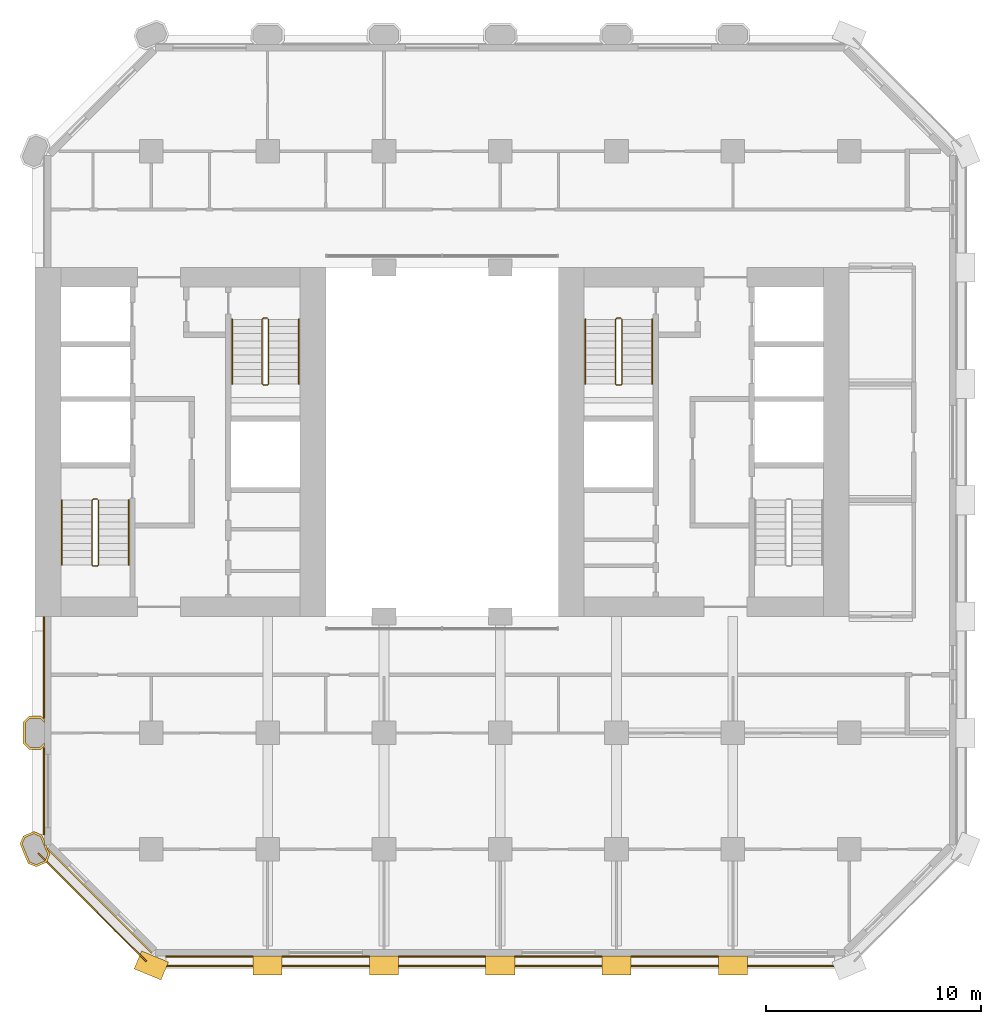
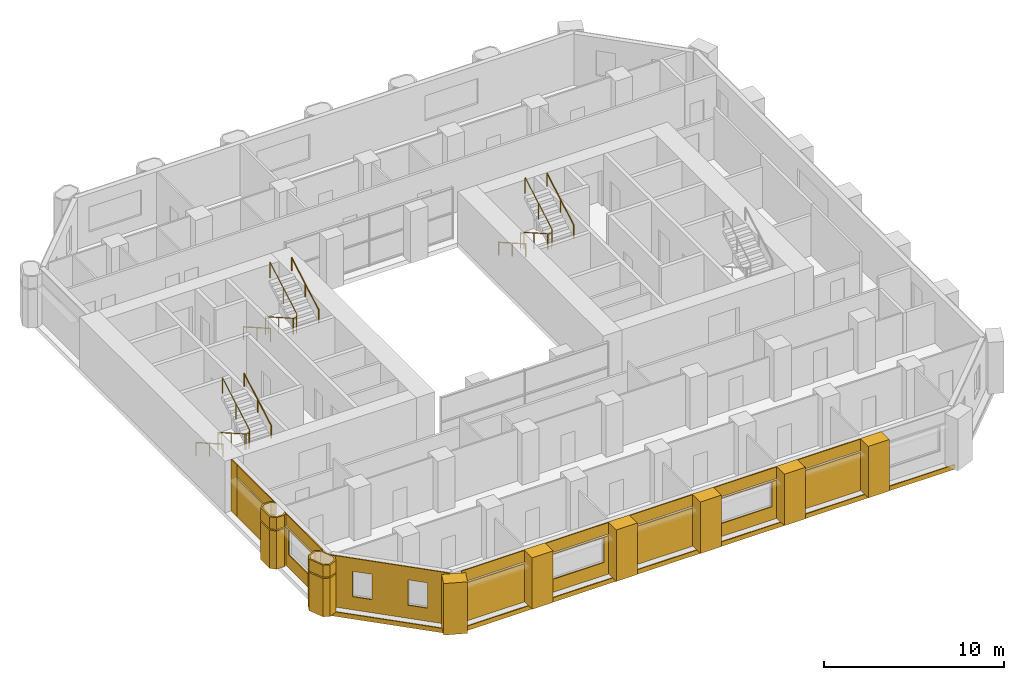
# One storey, part 13 of 14: 28 coverings, 9 railings.
"""IFC4 building model written with IfcOpenShell, lengths in metres."""

from ifc_helpers import new_model, si_unit, direction, frame, frame_2d, origin, origin_2d, place, context, subcontext, project, spatial, polyline, rectangle, circle, outline, extrude, material, layer, layer_set, type_object, element, save


model = new_model("IFC4")

# Units and contexts
model_context = context("Model", 3, precision=1e-05, world=origin(), true_north=direction((0.0, 1.0)))
body_context = subcontext(model_context, "Body", "Model", "MODEL_VIEW")
ifc_project = project(units=[si_unit("LENGTHUNIT", "METRE"), si_unit("AREAUNIT", "SQUARE_METRE"), si_unit("VOLUMEUNIT", "CUBIC_METRE"), si_unit("PLANEANGLEUNIT", "RADIAN"), si_unit("MASSUNIT", "GRAM", prefix="KILO")], contexts=[model_context])

# Site, building, storey
site_placement = place(None, origin())
site = spatial("IfcSite", under=ifc_project, at=site_placement, CompositionType="ELEMENT")
building_placement = place(site_placement, origin())
building = spatial("IfcBuilding", under=site, at=building_placement, Name="Tabaq Tower and Sports Hall", CompositionType="ELEMENT")
storey_placement = place(building_placement, frame((0.0, 0.0, 52.60009765625)))
storey = spatial("IfcBuildingStorey", under=building, at=storey_placement, Name="L11", CompositionType="ELEMENT", Elevation=52.60009765625)

# Coverings
ifc_material_1 = material(Name="Precast concrete C60/75", Category="concrete")
ifc_layer_1 = layer(ifc_material_1, 0.10009765625)
ifc_layer_set_1 = layer_set([ifc_layer_1], Name="Column cladding 100")
covering_type_1 = type_object("IfcCoveringType", Name="Column cladding 100", PredefinedType="CLADDING", material=ifc_layer_set_1)
covering_1_placement = place(storey_placement, origin())
element("IfcCovering", 1, at=covering_1_placement, inside=storey, type_object=covering_type_1, Name="Column cladding L11 PC-2B-O1", PredefinedType="CLADDING", context=body_context, shape_type="SweptSolid", body=[
    extrude(outline(polyline([(5.450439453125, 4.582275390625), (5.080078125, 4.73583984375), (4.7041015625, 5.6435546875), (4.857421875, 6.013916015625), (5.349609375, 6.217529296875), (5.7197265625, 6.064208984375), (5.849609375, 5.750732421875), (5.849609375, 5.586181640625), (5.91796875, 5.586181640625), (5.9814453125, 5.432373046875), (5.9501953125, 5.401123046875), (6.026123046875, 5.3251953125), (6.095947265625, 5.156494140625), (5.9423828125, 4.7861328125), (5.450439453125, 4.582275390625)]), holes=[polyline([(5.349609375, 6.110107421875), (4.93359375, 5.937744140625), (4.811767578125, 5.6435546875), (5.15625, 4.811767578125), (5.450439453125, 4.68994140625), (5.866455078125, 4.8623046875), (5.98828125, 5.156494140625), (5.643798828125, 5.98828125), (5.349609375, 6.110107421875)])]), origin(), (0.0, 0.0, 1.0), 2.599853515625),
])
covering_2_placement = place(storey_placement, frame((0.0, 0.0, 2.699951171875)))
element("IfcCovering", 2, at=covering_2_placement, inside=storey, type_object=covering_type_1, Name="Column cladding L11 PC-2B-O1 2", PredefinedType="CLADDING", context=body_context, shape_type="SweptSolid", body=[
    extrude(outline(polyline([(5.450439453125, 4.582275390625), (5.080078125, 4.73583984375), (4.7041015625, 5.6435546875), (4.857421875, 6.013916015625), (5.349609375, 6.217529296875), (5.7197265625, 6.064208984375), (5.849609375, 5.750732421875), (5.849609375, 5.586181640625), (5.91796875, 5.586181640625), (5.9814453125, 5.432373046875), (5.9501953125, 5.401123046875), (6.026123046875, 5.3251953125), (6.095947265625, 5.156494140625), (5.9423828125, 4.7861328125), (5.450439453125, 4.582275390625)]), holes=[polyline([(5.349609375, 6.110107421875), (4.93359375, 5.937744140625), (4.811767578125, 5.6435546875), (5.15625, 4.811767578125), (5.450439453125, 4.68994140625), (5.866455078125, 4.8623046875), (5.98828125, 5.156494140625), (5.643798828125, 5.98828125), (5.349609375, 6.110107421875)])]), origin(), (0.0, 0.0, 1.0), 0.800048828125),
])
covering_3_placement = place(storey_placement, origin())
element("IfcCovering", 3, at=covering_3_placement, inside=storey, type_object=covering_type_1, Name="Column cladding L11 PC-2C-O1", PredefinedType="CLADDING", context=body_context, shape_type="SweptSolid", body=[
    extrude(outline(polyline([(5.1337890625, 10.025390625), (4.850341796875, 10.30859375), (4.850341796875, 11.291259765625), (5.1337890625, 11.57470703125), (5.666259765625, 11.57470703125), (5.849609375, 11.391357421875), (5.849609375, 11.250732421875), (5.625244140625, 11.475341796875), (5.1748046875, 11.475341796875), (4.94970703125, 11.250244140625), (4.94970703125, 10.349853515625), (5.1748046875, 10.124755859375), (5.625244140625, 10.124755859375), (5.849609375, 10.349365234375), (5.849609375, 10.208740234375), (5.666259765625, 10.025390625), (5.1337890625, 10.025390625)])), origin(), (0.0, 0.0, 1.0), 2.599853515625),
])
covering_4_placement = place(storey_placement, frame((0.0, 0.0, 2.699951171875)))
element("IfcCovering", 4, at=covering_4_placement, inside=storey, type_object=covering_type_1, Name="Column cladding L11 PC-2C-O1 2", PredefinedType="CLADDING", context=body_context, shape_type="SweptSolid", body=[
    extrude(outline(polyline([(5.1337890625, 10.025390625), (4.850341796875, 10.30859375), (4.850341796875, 11.291259765625), (5.1337890625, 11.57470703125), (5.666259765625, 11.57470703125), (5.849609375, 11.391357421875), (5.849609375, 11.250732421875), (5.625244140625, 11.475341796875), (5.1748046875, 11.475341796875), (4.94970703125, 11.250244140625), (4.94970703125, 10.349853515625), (5.1748046875, 10.124755859375), (5.625244140625, 10.124755859375), (5.849609375, 10.349365234375), (5.849609375, 10.208740234375), (5.666259765625, 10.025390625), (5.1337890625, 10.025390625)])), origin(), (0.0, 0.0, 1.0), 0.800048828125),
])
ifc_material_2 = material(Name="Precast concrete C60/75", Category="concrete")
ifc_layer_2 = layer(ifc_material_2, 0.06005859375)
ifc_layer_set_2 = layer_set([ifc_layer_2], Name="Edge beam cladding 60")
covering_type_2 = type_object("IfcCoveringType", Name="Edge beam cladding 60", PredefinedType="CLADDING", material=ifc_layer_set_2)
covering_5_placement = place(storey_placement, frame((11.0986328125, -0.030029296875, -0.300048828125), z_axis=(0.0, 0.0, 1.0), x_axis=(1.0, 0.0, 0.0)))
element("IfcCovering", 5, at=covering_5_placement, inside=storey, type_object=covering_type_2, Name="Edge beam cladding L11 1", PredefinedType="CLADDING", context=body_context, shape_type="SweptSolid", body=[
    extrude(rectangle(XDim=31.802734375, YDim=0.06005859375, at=frame_2d((15.9013671875, 0.0))), origin(), (0.0, 0.0, 1.0), 0.300048828125),
])
covering_6_placement = place(storey_placement, frame((5.5556640625, 5.201904296875, -0.300048828125), z_axis=(0.0, 0.0, 1.0), x_axis=(0.707106781187, -0.707106781187, 0.0)))
element("IfcCovering", 6, at=covering_6_placement, inside=storey, type_object=covering_type_2, Name="Edge beam cladding L11 5", PredefinedType="CLADDING", context=body_context, shape_type="SweptSolid", body=[
    extrude(rectangle(XDim=7.087890625, YDim=0.06005859375, at=frame_2d((3.5439453125, 0.0))), origin(), (0.0, 0.0, 1.0), 0.300048828125),
])
ifc_material_3 = material(Name="White precast concrete C60/75", Category="concrete")
covering_type_3 = type_object("IfcCoveringType", Name="Pier cladding hung 1350x900", PredefinedType="CLADDING", material=ifc_material_3)
for number, where, z_axis, x_axis, name in (
    (7, (10.17626953125, 0.25830078125, 0.0), (0.0, 0.0, 1.0), (0.923893411637, -0.382649923473, 0.0), "Hung pier cladding 2/0"),
    (8, (15.52490234375, 0.0, 0.0), (0.0, 0.0, 1.0), (1.0, 0.0, 0.0), "Hung pier cladding 3/0"),
):
    element("IfcCovering", number, at=place(storey_placement, frame(where, z_axis=z_axis, x_axis=x_axis)), inside=storey, type_object=covering_type_3, Name=name, PredefinedType="CLADDING", context=body_context, shape_type="SweptSolid", body=[
        extrude(rectangle(XDim=1.35009765625, YDim=0.89990234375, at=frame_2d((0.675048828125, 0.0))), origin(), (0.0, 0.0, 1.0), 3.5),
    ])
covering_7_placement = place(storey_placement, frame((20.925048828125, 0.0, 0.0), z_axis=(0.0, 0.0, 1.0), x_axis=(1.0, 0.0, 0.0)))
element("IfcCovering", 9, at=covering_7_placement, inside=storey, type_object=covering_type_3, Name="Hung pier cladding 4/0", PredefinedType="CLADDING", context=body_context, shape_type="SweptSolid", body=[
    extrude(rectangle(XDim=1.349853515625, YDim=0.89990234375, at=frame_2d((0.6748046875, 0.0))), origin(), (0.0, 0.0, 1.0), 3.5),
])
covering_8_placement = place(storey_placement, frame((26.324951171875, 0.0, 0.0), z_axis=(0.0, 0.0, 1.0), x_axis=(1.0, 0.0, 0.0)))
element("IfcCovering", 10, at=covering_8_placement, inside=storey, type_object=covering_type_3, Name="Hung pier cladding 5/0", PredefinedType="CLADDING", context=body_context, shape_type="SweptSolid", body=[
    extrude(rectangle(XDim=1.35009765625, YDim=0.89990234375, at=frame_2d((0.675048828125, 0.0))), origin(), (0.0, 0.0, 1.0), 3.5),
])
covering_9_placement = place(storey_placement, frame((31.72509765625, 0.0, 0.0), z_axis=(0.0, 0.0, 1.0), x_axis=(1.0, 0.0, 0.0)))
element("IfcCovering", 11, at=covering_9_placement, inside=storey, type_object=covering_type_3, Name="Hung pier cladding 6/0", PredefinedType="CLADDING", context=body_context, shape_type="SweptSolid", body=[
    extrude(rectangle(XDim=1.349853515625, YDim=0.89990234375, at=frame_2d((0.6748046875, 0.0))), origin(), (0.0, 0.0, 1.0), 3.5),
])
covering_10_placement = place(storey_placement, frame((37.125, 0.0, 0.0), z_axis=(0.0, 0.0, 1.0), x_axis=(1.0, 0.0, 0.0)))
element("IfcCovering", 12, at=covering_10_placement, inside=storey, type_object=covering_type_3, Name="Hung pier cladding 7/0", PredefinedType="CLADDING", context=body_context, shape_type="SweptSolid", body=[
    extrude(rectangle(XDim=1.35009765625, YDim=0.89990234375, at=frame_2d((0.675048828125, 0.0))), origin(), (0.0, 0.0, 1.0), 3.5),
])

# Railings
ifc_material_4 = material(Name="Stainless steel", Category="steel")
railing_type_1 = type_object("IfcRailingType", Name="Stair guard", PredefinedType="GUARDRAIL", material=ifc_material_4)
railing_1_placement = place(storey_placement, frame((8.300048828125, 21.64990234375, 0.0)))
element("IfcRailing", 13, at=railing_1_placement, inside=storey, type_object=railing_type_1, Name="L11 ST1 stair guard 1", PredefinedType="GUARDRAIL", context=body_context, shape_type="SweptSolid", body=[
    extrude(circle(Radius=0.02392578125, at=origin_2d()), frame((0.0, 0.0, 1.076171875), z_axis=(-1.0, 0.0, 0.0), x_axis=(0.0, -1.0, 0.0)), (0.0, 0.0, 1.0), 0.199951171875),
    extrude(circle(Radius=0.02392578125, at=origin_2d()), frame((-0.199951171875, 0.0, 1.076171875), z_axis=(-0.246983470365, -0.245778672949, 0.937332389972), x_axis=(0.705375805398, -0.708833529934, 0.0)), (0.0, 0.0, 1.0), 0.20263671875),
    extrude(circle(Radius=0.02392578125, at=origin_2d()), frame((-0.25, -0.0498046875, 1.26611328125), z_axis=(0.0, -0.868782136927, 0.495194505781), x_axis=(1.0, 0.0, 0.0)), (0.0, 0.0, 1.0), 3.453125),
    extrude(circle(Radius=0.02392578125, at=origin_2d()), frame((-0.25, -3.0498046875, 2.97607421875), z_axis=(0.707106781187, -0.707106781187, 0.0), x_axis=(0.707106781187, 0.707106781187, 0.0)), (0.0, 0.0, 1.0), 0.07080078125),
    extrude(circle(Radius=0.02392578125, at=origin_2d()), frame((-0.199951171875, -3.099853515625, 2.97607421875), z_axis=(1.0, 0.0, 0.0), x_axis=(0.0, 1.0, 0.0)), (0.0, 0.0, 1.0), 0.199951171875),
    extrude(circle(Radius=0.02392578125, at=origin_2d()), frame((0.0, -3.099853515625, 2.97607421875), z_axis=(0.246910188598, 0.246910188598, 0.937054276727), x_axis=(-0.707106781187, 0.707106781187, 0.0)), (0.0, 0.0, 1.0), 0.20263671875),
    extrude(circle(Radius=0.02392578125, at=origin_2d()), frame((0.050048828125, -3.0498046875, 3.166015625), z_axis=(0.0, 0.868782136927, 0.495194505781), x_axis=(-1.0, 0.0, 0.0)), (0.0, 0.0, 1.0), 3.453125),
    extrude(circle(Radius=0.02099609375, at=origin_2d()), origin(), (0.0, 0.0, 1.0), 1.052001953125),
    extrude(circle(Radius=0.02099609375, at=origin_2d()), frame((-0.199951171875, 0.0, 0.0)), (0.0, 0.0, 1.0), 1.052001953125),
    extrude(circle(Radius=0.02099609375, at=origin_2d()), frame((-0.25, -0.0498046875, 0.18994140625)), (0.0, 0.0, 1.0), 1.052001953125),
    extrude(circle(Radius=0.02099609375, at=origin_2d()), frame((-0.25, -1.5498046875, 1.044921875)), (0.0, 0.0, 1.0), 1.052001953125),
    extrude(circle(Radius=0.02099609375, at=origin_2d()), frame((-0.25, -3.0498046875, 1.89990234375)), (0.0, 0.0, 1.0), 1.052001953125),
    extrude(circle(Radius=0.02099609375, at=origin_2d()), frame((-0.199951171875, -3.099853515625, 1.89990234375)), (0.0, 0.0, 1.0), 1.052001953125),
    extrude(circle(Radius=0.02099609375, at=origin_2d()), frame((0.0, -3.099853515625, 1.89990234375)), (0.0, 0.0, 1.0), 1.052001953125),
    extrude(circle(Radius=0.02099609375, at=origin_2d()), frame((0.050048828125, -3.0498046875, 2.08984375)), (0.0, 0.0, 1.0), 1.052001953125),
    extrude(circle(Radius=0.02099609375, at=origin_2d()), frame((0.050048828125, -1.5498046875, 2.94482421875)), (0.0, 0.0, 1.0), 1.052001953125),
    extrude(circle(Radius=0.02099609375, at=origin_2d()), frame((0.050048828125, -0.0498046875, 3.7998046875)), (0.0, 0.0, 1.0), 1.052001953125),
])
railing_2_placement = place(storey_placement, frame((16.199951171875, 30.050048828125, 0.0)))
element("IfcRailing", 14, at=railing_2_placement, inside=storey, type_object=railing_type_1, Name="L11 ST2 stair guard 1", PredefinedType="GUARDRAIL", context=body_context, shape_type="SweptSolid", body=[
    extrude(circle(Radius=0.02392578125, at=origin_2d()), frame((0.0, 0.0, 1.076171875), z_axis=(-1.0, 0.0, 0.0), x_axis=(0.0, -1.0, 0.0)), (0.0, 0.0, 1.0), 0.199951171875),
    extrude(circle(Radius=0.02392578125, at=origin_2d()), frame((-0.199951171875, 0.0, 1.076171875), z_axis=(-0.246910188598, -0.246910188598, 0.937054276727), x_axis=(0.707106781187, -0.707106781187, 0.0)), (0.0, 0.0, 1.0), 0.20263671875),
    extrude(circle(Radius=0.02392578125, at=origin_2d()), frame((-0.25, -0.050048828125, 1.26611328125), z_axis=(0.0, -0.868782136927, 0.495194505781), x_axis=(1.0, 0.0, 0.0)), (0.0, 0.0, 1.0), 3.453125),
    extrude(circle(Radius=0.02392578125, at=origin_2d()), frame((-0.25, -3.050048828125, 2.97607421875), z_axis=(0.707106781187, -0.707106781187, 0.0), x_axis=(0.707106781187, 0.707106781187, 0.0)), (0.0, 0.0, 1.0), 0.07080078125),
    extrude(circle(Radius=0.02392578125, at=origin_2d()), frame((-0.199951171875, -3.10009765625, 2.97607421875), z_axis=(1.0, 0.0, 0.0), x_axis=(0.0, 1.0, 0.0)), (0.0, 0.0, 1.0), 0.199951171875),
    extrude(circle(Radius=0.02392578125, at=origin_2d()), frame((0.0, -3.10009765625, 2.97607421875), z_axis=(0.246910188598, 0.246910188598, 0.937054276727), x_axis=(-0.707106781187, 0.707106781187, 0.0)), (0.0, 0.0, 1.0), 0.20263671875),
    extrude(circle(Radius=0.02392578125, at=origin_2d()), frame((0.050048828125, -3.050048828125, 3.166015625), z_axis=(0.0, 0.868782136927, 0.495194505781), x_axis=(-1.0, 0.0, 0.0)), (0.0, 0.0, 1.0), 3.453125),
    extrude(circle(Radius=0.02099609375, at=origin_2d()), origin(), (0.0, 0.0, 1.0), 1.052001953125),
    extrude(circle(Radius=0.02099609375, at=origin_2d()), frame((-0.199951171875, 0.0, 0.0)), (0.0, 0.0, 1.0), 1.052001953125),
    extrude(circle(Radius=0.02099609375, at=origin_2d()), frame((-0.25, -0.050048828125, 0.18994140625)), (0.0, 0.0, 1.0), 1.052001953125),
    extrude(circle(Radius=0.02099609375, at=origin_2d()), frame((-0.25, -1.550048828125, 1.044921875)), (0.0, 0.0, 1.0), 1.052001953125),
    extrude(circle(Radius=0.02099609375, at=origin_2d()), frame((-0.25, -3.050048828125, 1.89990234375)), (0.0, 0.0, 1.0), 1.052001953125),
    extrude(circle(Radius=0.02099609375, at=origin_2d()), frame((-0.199951171875, -3.10009765625, 1.89990234375)), (0.0, 0.0, 1.0), 1.052001953125),
    extrude(circle(Radius=0.02099609375, at=origin_2d()), frame((0.0, -3.10009765625, 1.89990234375)), (0.0, 0.0, 1.0), 1.052001953125),
    extrude(circle(Radius=0.02099609375, at=origin_2d()), frame((0.050048828125, -3.050048828125, 2.08984375)), (0.0, 0.0, 1.0), 1.052001953125),
    extrude(circle(Radius=0.02099609375, at=origin_2d()), frame((0.050048828125, -1.550048828125, 2.94482421875)), (0.0, 0.0, 1.0), 1.052001953125),
    extrude(circle(Radius=0.02099609375, at=origin_2d()), frame((0.050048828125, -0.050048828125, 3.7998046875)), (0.0, 0.0, 1.0), 1.052001953125),
])
railing_3_placement = place(storey_placement, frame((32.60009765625, 30.050048828125, 0.0)))
element("IfcRailing", 15, at=railing_3_placement, inside=storey, type_object=railing_type_1, Name="L11 ST4 stair guard 1", PredefinedType="GUARDRAIL", context=body_context, shape_type="SweptSolid", body=[
    extrude(circle(Radius=0.02392578125, at=origin_2d()), frame((0.0, 0.0, 1.076171875), z_axis=(-1.0, 0.0, 0.0), x_axis=(0.0, -1.0, 0.0)), (0.0, 0.0, 1.0), 0.2001953125),
    extrude(circle(Radius=0.02392578125, at=origin_2d()), frame((-0.2001953125, 0.0, 1.076171875), z_axis=(-0.245778672949, -0.246983470365, 0.937332389972), x_axis=(0.708833529934, -0.705375805398, 0.0)), (0.0, 0.0, 1.0), 0.20263671875),
    extrude(circle(Radius=0.02392578125, at=origin_2d()), frame((-0.25, -0.050048828125, 1.26611328125), z_axis=(0.0, -0.868782136927, 0.495194505781), x_axis=(1.0, 0.0, 0.0)), (0.0, 0.0, 1.0), 3.453125),
    extrude(circle(Radius=0.02392578125, at=origin_2d()), frame((-0.25, -3.050048828125, 2.97607421875), z_axis=(0.705375805398, -0.708833529934, 0.0), x_axis=(0.708833529934, 0.705375805398, 0.0)), (0.0, 0.0, 1.0), 0.070556640625),
    extrude(circle(Radius=0.02392578125, at=origin_2d()), frame((-0.2001953125, -3.10009765625, 2.97607421875), z_axis=(1.0, 0.0, 0.0), x_axis=(0.0, 1.0, 0.0)), (0.0, 0.0, 1.0), 0.2001953125),
    extrude(circle(Radius=0.02392578125, at=origin_2d()), frame((0.0, -3.10009765625, 2.97607421875), z_axis=(0.245778672949, 0.246983470365, 0.937332389972), x_axis=(-0.708833529934, 0.705375805398, 0.0)), (0.0, 0.0, 1.0), 0.20263671875),
    extrude(circle(Radius=0.02392578125, at=origin_2d()), frame((0.0498046875, -3.050048828125, 3.166015625), z_axis=(0.0, 0.868782136927, 0.495194505781), x_axis=(-1.0, 0.0, 0.0)), (0.0, 0.0, 1.0), 3.453125),
    extrude(circle(Radius=0.02099609375, at=origin_2d()), origin(), (0.0, 0.0, 1.0), 1.052001953125),
    extrude(circle(Radius=0.02099609375, at=origin_2d()), frame((-0.2001953125, 0.0, 0.0)), (0.0, 0.0, 1.0), 1.052001953125),
    extrude(circle(Radius=0.02099609375, at=origin_2d()), frame((-0.25, -0.050048828125, 0.18994140625)), (0.0, 0.0, 1.0), 1.052001953125),
    extrude(circle(Radius=0.02099609375, at=origin_2d()), frame((-0.25, -1.550048828125, 1.044921875)), (0.0, 0.0, 1.0), 1.052001953125),
    extrude(circle(Radius=0.02099609375, at=origin_2d()), frame((-0.25, -3.050048828125, 1.89990234375)), (0.0, 0.0, 1.0), 1.052001953125),
    extrude(circle(Radius=0.02099609375, at=origin_2d()), frame((-0.2001953125, -3.10009765625, 1.89990234375)), (0.0, 0.0, 1.0), 1.052001953125),
    extrude(circle(Radius=0.02099609375, at=origin_2d()), frame((0.0, -3.10009765625, 1.89990234375)), (0.0, 0.0, 1.0), 1.052001953125),
    extrude(circle(Radius=0.02099609375, at=origin_2d()), frame((0.0498046875, -3.050048828125, 2.08984375)), (0.0, 0.0, 1.0), 1.052001953125),
    extrude(circle(Radius=0.02099609375, at=origin_2d()), frame((0.0498046875, -1.550048828125, 2.94482421875)), (0.0, 0.0, 1.0), 1.052001953125),
    extrude(circle(Radius=0.02099609375, at=origin_2d()), frame((0.0498046875, -0.050048828125, 3.7998046875)), (0.0, 0.0, 1.0), 1.052001953125),
])
ifc_material_5 = material(Name="Stainless steel", Category="steel")
railing_type_2 = type_object("IfcRailingType", Name="Stair handrail", PredefinedType="HANDRAIL", material=ifc_material_5)
railing_4_placement = place(storey_placement, frame((6.64990234375, 21.60009765625, 0.18994140625)))
element("IfcRailing", 16, at=railing_4_placement, inside=storey, type_object=railing_type_2, Name="L11 ST1 stair handrail 1", PredefinedType="HANDRAIL", context=body_context, shape_type="SweptSolid", body=[
    extrude(circle(Radius=0.02392578125, at=origin_2d()), frame((0.0, 0.0, 0.8759765625), z_axis=(0.0, -0.868782136927, 0.495194505781), x_axis=(1.0, 0.0, 0.0)), (0.0, 0.0, 1.0), 3.453125),
    extrude(circle(Radius=0.02099609375, at=origin_2d()), origin(), (0.0, 0.0, 1.0), 0.851806640625),
    extrude(circle(Radius=0.02099609375, at=origin_2d()), frame((0.0, -1.5, 0.85498046875)), (0.0, 0.0, 1.0), 0.851806640625),
    extrude(circle(Radius=0.02099609375, at=origin_2d()), frame((0.0, -3.0, 1.7099609375)), (0.0, 0.0, 1.0), 0.851806640625),
])
railing_5_placement = place(storey_placement, frame((9.75, 18.60009765625, 2.08984375)))
element("IfcRailing", 17, at=railing_5_placement, inside=storey, type_object=railing_type_2, Name="L11 ST1 stair handrail 2", PredefinedType="HANDRAIL", context=body_context, shape_type="SweptSolid", body=[
    extrude(circle(Radius=0.02392578125, at=origin_2d()), frame((0.0, 0.0, 0.8759765625), z_axis=(0.0, 0.868782136927, 0.495194505781), x_axis=(-1.0, 0.0, 0.0)), (0.0, 0.0, 1.0), 3.453125),
    extrude(circle(Radius=0.02099609375, at=origin_2d()), origin(), (0.0, 0.0, 1.0), 0.851806640625),
    extrude(circle(Radius=0.02099609375, at=origin_2d()), frame((0.0, 1.5, 0.85498046875)), (0.0, 0.0, 1.0), 0.851806640625),
    extrude(circle(Radius=0.02099609375, at=origin_2d()), frame((0.0, 3.0, 1.7099609375)), (0.0, 0.0, 1.0), 0.851806640625),
])
railing_6_placement = place(storey_placement, frame((14.550048828125, 30.0, 0.18994140625)))
element("IfcRailing", 18, at=railing_6_placement, inside=storey, type_object=railing_type_2, Name="L11 ST2 stair handrail 1", PredefinedType="HANDRAIL", context=body_context, shape_type="SweptSolid", body=[
    extrude(circle(Radius=0.02392578125, at=origin_2d()), frame((0.0, 0.0, 0.8759765625), z_axis=(0.0, -0.868782136927, 0.495194505781), x_axis=(1.0, 0.0, 0.0)), (0.0, 0.0, 1.0), 3.453125),
    extrude(circle(Radius=0.02099609375, at=origin_2d()), origin(), (0.0, 0.0, 1.0), 0.851806640625),
    extrude(circle(Radius=0.02099609375, at=origin_2d()), frame((0.0, -1.5, 0.85498046875)), (0.0, 0.0, 1.0), 0.851806640625),
    extrude(circle(Radius=0.02099609375, at=origin_2d()), frame((0.0, -3.0, 1.7099609375)), (0.0, 0.0, 1.0), 0.851806640625),
])
railing_7_placement = place(storey_placement, frame((17.64990234375, 27.0, 2.08984375)))
element("IfcRailing", 19, at=railing_7_placement, inside=storey, type_object=railing_type_2, Name="L11 ST2 stair handrail 2", PredefinedType="HANDRAIL", context=body_context, shape_type="SweptSolid", body=[
    extrude(circle(Radius=0.02392578125, at=origin_2d()), frame((0.0, 0.0, 0.8759765625), z_axis=(0.0, 0.868782136927, 0.495194505781), x_axis=(-1.0, 0.0, 0.0)), (0.0, 0.0, 1.0), 3.453125),
    extrude(circle(Radius=0.02099609375, at=origin_2d()), origin(), (0.0, 0.0, 1.0), 0.851806640625),
    extrude(circle(Radius=0.02099609375, at=origin_2d()), frame((0.0, 1.5, 0.85498046875)), (0.0, 0.0, 1.0), 0.851806640625),
    extrude(circle(Radius=0.02099609375, at=origin_2d()), frame((0.0, 3.0, 1.7099609375)), (0.0, 0.0, 1.0), 0.851806640625),
])
railing_8_placement = place(storey_placement, frame((30.949951171875, 30.0, 0.18994140625)))
element("IfcRailing", 20, at=railing_8_placement, inside=storey, type_object=railing_type_2, Name="L11 ST4 stair handrail 1", PredefinedType="HANDRAIL", context=body_context, shape_type="SweptSolid", body=[
    extrude(circle(Radius=0.02392578125, at=origin_2d()), frame((0.0, 0.0, 0.8759765625), z_axis=(0.0, -0.868782136927, 0.495194505781), x_axis=(1.0, 0.0, 0.0)), (0.0, 0.0, 1.0), 3.453125),
    extrude(circle(Radius=0.02099609375, at=origin_2d()), origin(), (0.0, 0.0, 1.0), 0.851806640625),
    extrude(circle(Radius=0.02099609375, at=origin_2d()), frame((0.0, -1.5, 0.85498046875)), (0.0, 0.0, 1.0), 0.851806640625),
    extrude(circle(Radius=0.02099609375, at=origin_2d()), frame((0.0, -3.0, 1.7099609375)), (0.0, 0.0, 1.0), 0.851806640625),
])
railing_9_placement = place(storey_placement, frame((34.050048828125, 27.0, 2.08984375)))
element("IfcRailing", 21, at=railing_9_placement, inside=storey, type_object=railing_type_2, Name="L11 ST4 stair handrail 2", PredefinedType="HANDRAIL", context=body_context, shape_type="SweptSolid", body=[
    extrude(circle(Radius=0.02392578125, at=origin_2d()), frame((0.0, 0.0, 0.8759765625), z_axis=(0.0, 0.868782136927, 0.495194505781), x_axis=(-1.0, 0.0, 0.0)), (0.0, 0.0, 1.0), 3.453125),
    extrude(circle(Radius=0.02099609375, at=origin_2d()), origin(), (0.0, 0.0, 1.0), 0.851806640625),
    extrude(circle(Radius=0.02099609375, at=origin_2d()), frame((0.0, 1.5, 0.85498046875)), (0.0, 0.0, 1.0), 0.851806640625),
    extrude(circle(Radius=0.02099609375, at=origin_2d()), frame((0.0, 3.0, 1.7099609375)), (0.0, 0.0, 1.0), 0.851806640625),
])

# Coverings
ifc_material_6 = material(Name="Precast concrete C60/75", Category="concrete")
ifc_layer_3 = layer(ifc_material_6, 0.06005859375)
ifc_layer_set_3 = layer_set([ifc_layer_3], Name="White precast cladding panel 60 C60/75")
covering_type_4 = type_object("IfcCoveringType", Name="White precast cladding panel 60 C60/75", PredefinedType="CLADDING", material=ifc_layer_set_3)
covering_11_placement = place(storey_placement, frame((11.465087890625, 0.419921875, 0.0), z_axis=(0.0, 0.0, 1.0), x_axis=(1.0, 0.0, 0.0)))
element("IfcCovering", 22, at=covering_11_placement, inside=storey, type_object=covering_type_4, Name="White precast cladding panel L11 wall00", PredefinedType="CLADDING", context=body_context, shape_type="SweptSolid", body=[
    extrude(rectangle(XDim=4.0498046875, YDim=0.06005859375, at=frame_2d((2.02490234375, 0.0))), origin(), (0.0, 0.0, 1.0), 2.58984375),
])
covering_12_placement = place(storey_placement, frame((11.465087890625, 0.419921875, 2.7099609375), z_axis=(0.0, 0.0, 1.0), x_axis=(1.0, 0.0, 0.0)))
element("IfcCovering", 23, at=covering_12_placement, inside=storey, type_object=covering_type_4, Name="White precast cladding panel L11 wall00 2", PredefinedType="CLADDING", context=body_context, shape_type="SweptSolid", body=[
    extrude(rectangle(XDim=4.0498046875, YDim=0.06005859375, at=frame_2d((2.02490234375, 0.0))), origin(), (0.0, 0.0, 1.0), 0.7900390625),
])
covering_13_placement = place(storey_placement, frame((16.885009765625, 0.419921875, 0.0), z_axis=(0.0, 0.0, 1.0), x_axis=(1.0, 0.0, 0.0)))
element("IfcCovering", 24, at=covering_13_placement, inside=storey, type_object=covering_type_4, Name="White precast cladding panel L11 wall00 3", PredefinedType="CLADDING", context=body_context, shape_type="SweptSolid", body=[
    extrude(outline(polyline([(0.0, 0.0), (4.030029296875, 0.0), (4.030029296875, 2.58984375), (0.0, 2.58984375), (0.0, 0.0)]), holes=[polyline([(3.72509765625, 0.889892578125), (0.304931640625, 0.889892578125), (0.304931640625, 2.559814453125), (3.72509765625, 2.559814453125), (3.72509765625, 0.889892578125)])]), frame((0.0, 0.030029296875, 0.0), z_axis=(0.0, -1.0, 0.0), x_axis=(1.0, 0.0, 0.0)), (0.0, 0.0, 1.0), 0.06005859375),
])
covering_14_placement = place(storey_placement, frame((16.885009765625, 0.419921875, 2.7099609375), z_axis=(0.0, 0.0, 1.0), x_axis=(1.0, 0.0, 0.0)))
element("IfcCovering", 25, at=covering_14_placement, inside=storey, type_object=covering_type_4, Name="White precast cladding panel L11 wall00 4", PredefinedType="CLADDING", context=body_context, shape_type="SweptSolid", body=[
    extrude(rectangle(XDim=4.030029296875, YDim=0.06005859375, at=frame_2d((2.01513671875, 0.0))), origin(), (0.0, 0.0, 1.0), 0.7900390625),
])
covering_15_placement = place(storey_placement, frame((22.284912109375, 0.419921875, 0.0), z_axis=(0.0, 0.0, 1.0), x_axis=(1.0, 0.0, 0.0)))
element("IfcCovering", 26, at=covering_15_placement, inside=storey, type_object=covering_type_4, Name="White precast cladding panel L11 wall00 5", PredefinedType="CLADDING", context=body_context, shape_type="SweptSolid", body=[
    extrude(rectangle(XDim=4.030029296875, YDim=0.06005859375, at=frame_2d((2.01513671875, 0.0))), origin(), (0.0, 0.0, 1.0), 2.58984375),
])
covering_16_placement = place(storey_placement, frame((22.284912109375, 0.419921875, 2.7099609375), z_axis=(0.0, 0.0, 1.0), x_axis=(1.0, 0.0, 0.0)))
element("IfcCovering", 27, at=covering_16_placement, inside=storey, type_object=covering_type_4, Name="White precast cladding panel L11 wall00 6", PredefinedType="CLADDING", context=body_context, shape_type="SweptSolid", body=[
    extrude(rectangle(XDim=4.030029296875, YDim=0.06005859375, at=frame_2d((2.01513671875, 0.0))), origin(), (0.0, 0.0, 1.0), 0.7900390625),
])
covering_17_placement = place(storey_placement, frame((27.68505859375, 0.419921875, 0.0), z_axis=(0.0, 0.0, 1.0), x_axis=(1.0, 0.0, 0.0)))
element("IfcCovering", 28, at=covering_17_placement, inside=storey, type_object=covering_type_4, Name="White precast cladding panel L11 wall00 7", PredefinedType="CLADDING", context=body_context, shape_type="SweptSolid", body=[
    extrude(outline(polyline([(0.0, 0.0), (4.030029296875, 0.0), (4.030029296875, 2.58984375), (0.0, 2.58984375), (0.0, 0.0)]), holes=[polyline([(3.72509765625, 0.889892578125), (0.304931640625, 0.889892578125), (0.304931640625, 2.559814453125), (3.72509765625, 2.559814453125), (3.72509765625, 0.889892578125)])]), frame((0.0, 0.030029296875, 0.0), z_axis=(0.0, -1.0, 0.0), x_axis=(1.0, 0.0, 0.0)), (0.0, 0.0, 1.0), 0.06005859375),
])
covering_18_placement = place(storey_placement, frame((27.68505859375, 0.419921875, 2.7099609375), z_axis=(0.0, 0.0, 1.0), x_axis=(1.0, 0.0, 0.0)))
element("IfcCovering", 29, at=covering_18_placement, inside=storey, type_object=covering_type_4, Name="White precast cladding panel L11 wall00 8", PredefinedType="CLADDING", context=body_context, shape_type="SweptSolid", body=[
    extrude(rectangle(XDim=4.030029296875, YDim=0.06005859375, at=frame_2d((2.01513671875, 0.0))), origin(), (0.0, 0.0, 1.0), 0.7900390625),
])
covering_19_placement = place(storey_placement, frame((33.0849609375, 0.419921875, 0.0), z_axis=(0.0, 0.0, 1.0), x_axis=(1.0, 0.0, 0.0)))
element("IfcCovering", 30, at=covering_19_placement, inside=storey, type_object=covering_type_4, Name="White precast cladding panel L11 wall00 9", PredefinedType="CLADDING", context=body_context, shape_type="SweptSolid", body=[
    extrude(rectangle(XDim=4.030029296875, YDim=0.06005859375, at=frame_2d((2.01513671875, 0.0))), origin(), (0.0, 0.0, 1.0), 2.58984375),
])
covering_20_placement = place(storey_placement, frame((33.0849609375, 0.419921875, 2.7099609375), z_axis=(0.0, 0.0, 1.0), x_axis=(1.0, 0.0, 0.0)))
element("IfcCovering", 31, at=covering_20_placement, inside=storey, type_object=covering_type_4, Name="White precast cladding panel L11 wall00 10", PredefinedType="CLADDING", context=body_context, shape_type="SweptSolid", body=[
    extrude(rectangle(XDim=4.030029296875, YDim=0.06005859375, at=frame_2d((2.01513671875, 0.0))), origin(), (0.0, 0.0, 1.0), 0.7900390625),
])
covering_21_placement = place(storey_placement, frame((5.820068359375, 16.199951171875, 0.0), z_axis=(0.0, 0.0, 1.0), x_axis=(0.0, -1.0, 0.0)))
element("IfcCovering", 32, at=covering_21_placement, inside=storey, type_object=covering_type_4, Name="White precast cladding panel L11 wall06-1", PredefinedType="CLADDING", context=body_context, shape_type="SweptSolid", body=[
    extrude(rectangle(XDim=0.6650390625, YDim=0.06005859375, at=frame_2d((0.33251953125, 0.0))), origin(), (0.0, 0.0, 1.0), 3.5),
])
covering_22_placement = place(storey_placement, frame((5.820068359375, 15.534912109375, 0.0), z_axis=(0.0, 0.0, 1.0), x_axis=(0.0, -1.0, 0.0)))
element("IfcCovering", 33, at=covering_22_placement, inside=storey, type_object=covering_type_4, Name="White precast cladding panel L11 wall06-1 2", PredefinedType="CLADDING", context=body_context, shape_type="SweptSolid", body=[
    extrude(rectangle(XDim=4.0498046875, YDim=0.06005859375, at=frame_2d((2.02490234375, 0.0))), origin(), (0.0, 0.0, 1.0), 2.58984375),
])
covering_23_placement = place(storey_placement, frame((5.820068359375, 15.534912109375, 2.7099609375), z_axis=(0.0, 0.0, 1.0), x_axis=(0.0, -1.0, 0.0)))
element("IfcCovering", 34, at=covering_23_placement, inside=storey, type_object=covering_type_4, Name="White precast cladding panel L11 wall06-1 3", PredefinedType="CLADDING", context=body_context, shape_type="SweptSolid", body=[
    extrude(rectangle(XDim=4.0498046875, YDim=0.06005859375, at=frame_2d((2.02490234375, 0.0))), origin(), (0.0, 0.0, 1.0), 0.7900390625),
])
covering_24_placement = place(storey_placement, frame((5.820068359375, 10.114990234375, 0.0), z_axis=(0.0, 0.0, 1.0), x_axis=(0.0, -1.0, 0.0)))
element("IfcCovering", 35, at=covering_24_placement, inside=storey, type_object=covering_type_4, Name="White precast cladding panel L11 wall06-1 4", PredefinedType="CLADDING", context=body_context, shape_type="SweptSolid", body=[
    extrude(outline(polyline([(0.0, 0.0), (4.050048828125, 0.0), (4.050048828125, 2.58984375), (0.0, 2.58984375), (0.0, 0.0)]), holes=[polyline([(3.72509765625, 0.889892578125), (0.304931640625, 0.889892578125), (0.304931640625, 2.559814453125), (3.72509765625, 2.559814453125), (3.72509765625, 0.889892578125)])]), frame((0.0, 0.030029296875, 0.0), z_axis=(0.0, -1.0, 0.0), x_axis=(1.0, 0.0, 0.0)), (0.0, 0.0, 1.0), 0.06005859375),
])
covering_25_placement = place(storey_placement, frame((5.820068359375, 10.114990234375, 2.7099609375), z_axis=(0.0, 0.0, 1.0), x_axis=(0.0, -1.0, 0.0)))
element("IfcCovering", 36, at=covering_25_placement, inside=storey, type_object=covering_type_4, Name="White precast cladding panel L11 wall06-1 5", PredefinedType="CLADDING", context=body_context, shape_type="SweptSolid", body=[
    extrude(rectangle(XDim=4.050048828125, YDim=0.06005859375, at=frame_2d((2.02490234375, 0.0))), origin(), (0.0, 0.0, 1.0), 0.7900390625),
])
covering_26_placement = place(storey_placement, frame((5.9716796875, 5.42236328125, 0.0), z_axis=(0.0, 0.0, 1.0), x_axis=(0.707106781187, -0.707106781187, 0.0)))
element("IfcCovering", 37, at=covering_26_placement, inside=storey, type_object=covering_type_4, Name="White precast cladding panel L11 wall07", PredefinedType="CLADDING", context=body_context, shape_type="SweptSolid", body=[
    extrude(outline(polyline([(0.0, 0.0), (6.85986328125, 0.0), (6.85986328125, 3.5), (0.0, 3.5), (0.0, 0.0)]), holes=[polyline([(1.269775390625, 2.60986328125), (2.389892578125, 2.60986328125), (2.389892578125, 0.889892578125), (1.269775390625, 0.889892578125), (1.269775390625, 2.60986328125)]), polyline([(4.4697265625, 2.60986328125), (5.58984375, 2.60986328125), (5.58984375, 0.889892578125), (4.4697265625, 0.889892578125), (4.4697265625, 2.60986328125)])]), frame((0.0, 0.030029296875, 0.0), z_axis=(0.0, -1.0, 0.0), x_axis=(1.0, 0.0, 0.0)), (0.0, 0.0, 1.0), 0.06005859375),
])

save(model, "model.ifc")
